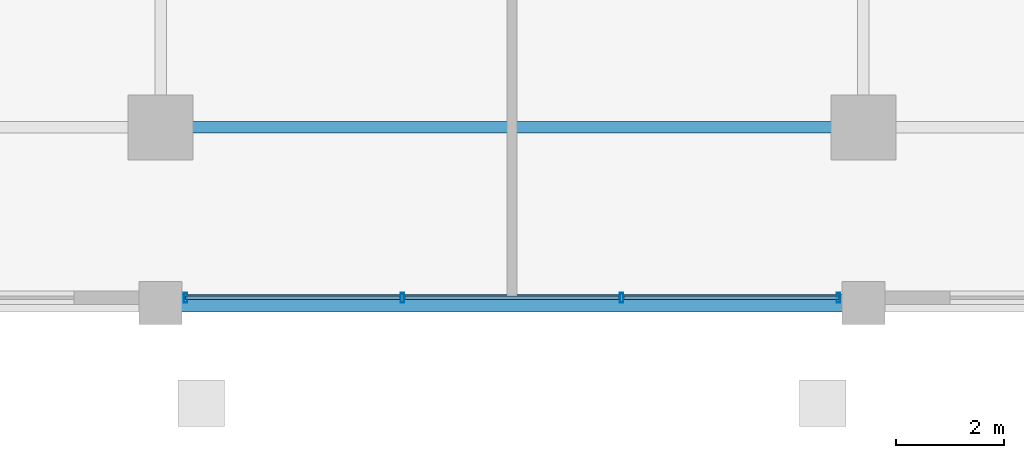
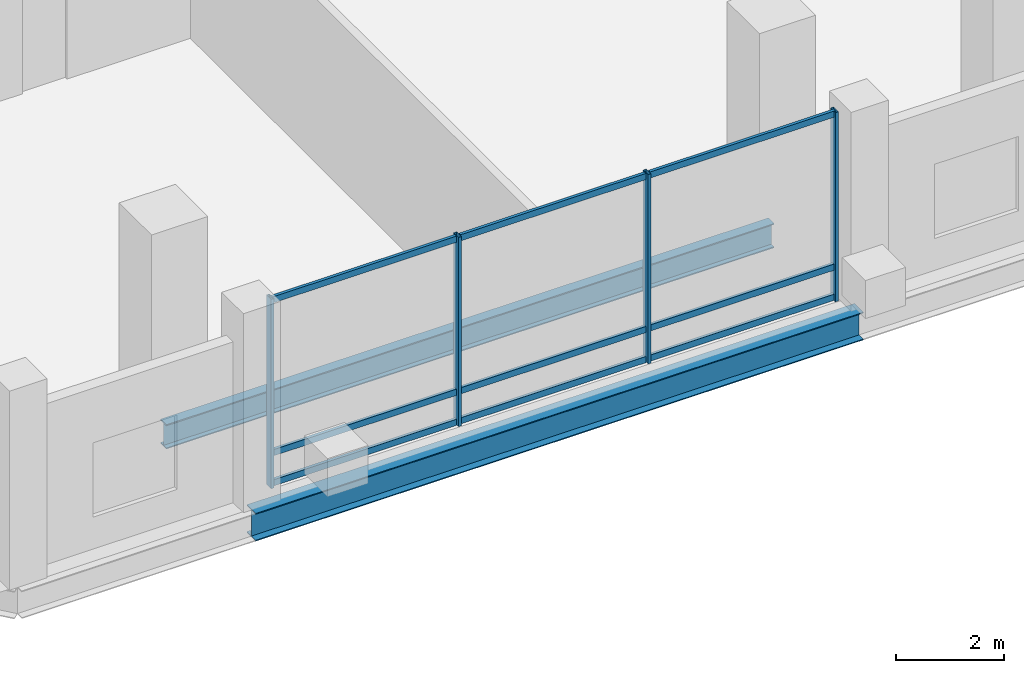
# One storey, part 2 of 19: 13 members, 2 beams, 1 element without a shape of its own.
"""IFC4 building model written with IfcOpenShell, lengths in metres."""

from ifc_helpers import new_model, si_unit, direction, frame, origin, origin_2d, place, context, subcontext, project, spatial, hollow_rectangle, i_section, extrude, material, layer, layer_set, material_profile, profile_set, type_object, element, aggregate, save


model = new_model("IFC4")

# Units and contexts
model_context = context("Model", 3, precision=1e-05, world=origin(), true_north=direction((0.0, 1.0)))
body_context = subcontext(model_context, "Body", "Model", "MODEL_VIEW")
ifc_project = project(units=[si_unit("LENGTHUNIT", "METRE"), si_unit("AREAUNIT", "SQUARE_METRE"), si_unit("VOLUMEUNIT", "CUBIC_METRE"), si_unit("PLANEANGLEUNIT", "RADIAN"), si_unit("MASSUNIT", "GRAM", prefix="KILO")], contexts=[model_context])

# Site, building, storey
site_placement = place(None, origin())
site = spatial("IfcSite", under=ifc_project, at=site_placement, CompositionType="ELEMENT")
building_placement = place(site_placement, origin())
building = spatial("IfcBuilding", under=site, at=building_placement, Name="Barlavira Tower and Art Museum", CompositionType="ELEMENT")
storey_placement = place(building_placement, frame((0.0, 0.0, 125.10009765625)))
storey = spatial("IfcBuildingStorey", under=building, at=storey_placement, Name="L31", CompositionType="ELEMENT", Elevation=125.10009765625)

# Curtain wall, members
ifc_material_1 = material(Name="Low-iron coastal laminated glass", Category="glass")
ifc_layer = layer(ifc_material_1, 0.18994140625, Name="Low-iron coastal laminated glass")
ifc_layer_set = layer_set([ifc_layer], Name="Low-iron coastal laminated glass")
curtain_wall_type = type_object("IfcCurtainWallType", Name="Pale-Metal Unitised Curtain Wall Zone 2", PredefinedType="NOTDEFINED", material=ifc_layer_set)
curtain_wall_placement = place(storey_placement, origin())
curtain_wall = element("IfcCurtainWall", 1, at=curtain_wall_placement, inside=storey, type_object=curtain_wall_type, Name="L31 Curtain Wall CW2-L31-S-B3", PredefinedType="NOTDEFINED")
ifc_material_2 = material(Name="Pale anodised aluminium", Category="aluminium")
ifc_material_profile_1 = material_profile(ifc_material_2, hollow_rectangle(XDim=0.06494140625, YDim=0.179931640625, WallThickness=0.00390625, at=origin_2d()), Name="ALU-MULL 65x180x4")
ifc_profile_set_1 = profile_set([ifc_material_profile_1], Name="Pale anodised aluminium")
member_type_1 = type_object("IfcMemberType", Name="Curtain Wall Pale-Metal Mullion 65x180", PredefinedType="MULLION", material=ifc_profile_set_1)
member_1_placement = place(storey_placement, frame((-6.034912109375, -23.14990234375, 0.0), z_axis=(0.0, 0.0, 1.0), x_axis=(1.0, 0.0, 0.0)))
member_1 = element("IfcMember", 2, at=member_1_placement, type_object=member_type_1, Name="CW2-L31-S-B3 Mullion 0", PredefinedType="MULLION", context=body_context, shape_type="SweptSolid", body=[
    extrude(hollow_rectangle(XDim=0.06494140625, YDim=0.179931640625, WallThickness=0.00390625, at=origin_2d()), origin(), (0.0, 0.0, 1.0), 4.27978515625),
])
member_2_placement = place(storey_placement, frame((-2.026611328125, -23.14990234375, 0.0), z_axis=(0.0, 0.0, 1.0), x_axis=(1.0, 0.0, 0.0)))
member_2 = element("IfcMember", 3, at=member_2_placement, type_object=member_type_1, Name="CW2-L31-S-B3 Mullion 1", PredefinedType="MULLION", context=body_context, shape_type="SweptSolid", body=[
    extrude(hollow_rectangle(XDim=0.06494140625, YDim=0.179931640625, WallThickness=0.00390625, at=origin_2d()), origin(), (0.0, 0.0, 1.0), 4.27978515625),
])
member_3_placement = place(storey_placement, frame((2.026611328125, -23.14990234375, 0.0), z_axis=(0.0, 0.0, 1.0), x_axis=(1.0, 0.0, 0.0)))
member_3 = element("IfcMember", 4, at=member_3_placement, type_object=member_type_1, Name="CW2-L31-S-B3 Mullion 2", PredefinedType="MULLION", context=body_context, shape_type="SweptSolid", body=[
    extrude(hollow_rectangle(XDim=0.06494140625, YDim=0.179931640625, WallThickness=0.00390625, at=origin_2d()), origin(), (0.0, 0.0, 1.0), 4.27978515625),
])
member_4_placement = place(storey_placement, frame((6.034912109375, -23.14990234375, 0.0), z_axis=(0.0, 0.0, 1.0), x_axis=(1.0, 0.0, 0.0)))
member_4 = element("IfcMember", 5, at=member_4_placement, type_object=member_type_1, Name="CW2-L31-S-B3 Mullion 3", PredefinedType="MULLION", context=body_context, shape_type="SweptSolid", body=[
    extrude(hollow_rectangle(XDim=0.06494140625, YDim=0.179931640625, WallThickness=0.00390625, at=origin_2d()), origin(), (0.0, 0.0, 1.0), 4.27978515625),
])
ifc_material_profile_2 = material_profile(ifc_material_2, hollow_rectangle(XDim=0.06494140625, YDim=0.139892578125, WallThickness=0.00390625, at=origin_2d()), Name="ALU-TRAN 65x140x4")
ifc_profile_set_2 = profile_set([ifc_material_profile_2], Name="Pale anodised aluminium")
member_type_2 = type_object("IfcMemberType", Name="Curtain Wall Pale-Metal Transom 65x140", PredefinedType="USERDEFINED", material=ifc_profile_set_2)
member_5_placement = place(storey_placement, frame((-6.034912109375, -23.14990234375, 0.06982421875), z_axis=(1.0, 0.0, 0.0), x_axis=(0.0, 1.0, 0.0)))
member_5 = element("IfcMember", 6, at=member_5_placement, type_object=member_type_2, Name="CW2-L31-S-B3 Transom 0.1", ObjectType="TRANSOM", PredefinedType="USERDEFINED", context=body_context, shape_type="SweptSolid", body=[
    extrude(hollow_rectangle(XDim=0.06494140625, YDim=0.139892578125, WallThickness=0.00390625, at=origin_2d()), origin(), (0.0, 0.0, 1.0), 3.963134765625),
])
member_6_placement = place(storey_placement, frame((-6.034912109375, -23.14990234375, 0.75), z_axis=(1.0, 0.0, 0.0), x_axis=(0.0, 1.0, 0.0)))
member_6 = element("IfcMember", 7, at=member_6_placement, type_object=member_type_2, Name="CW2-L31-S-B3 Transom 0.2", ObjectType="TRANSOM", PredefinedType="USERDEFINED", context=body_context, shape_type="SweptSolid", body=[
    extrude(hollow_rectangle(XDim=0.06494140625, YDim=0.139892578125, WallThickness=0.00390625, at=origin_2d()), origin(), (0.0, 0.0, 1.0), 3.963134765625),
])
member_7_placement = place(storey_placement, frame((-6.034912109375, -23.14990234375, 4.2099609375), z_axis=(1.0, 0.0, 0.0), x_axis=(0.0, 1.0, 0.0)))
member_7 = element("IfcMember", 8, at=member_7_placement, type_object=member_type_2, Name="CW2-L31-S-B3 Transom 0.3", ObjectType="TRANSOM", PredefinedType="USERDEFINED", context=body_context, shape_type="SweptSolid", body=[
    extrude(hollow_rectangle(XDim=0.06494140625, YDim=0.139892578125, WallThickness=0.00390625, at=origin_2d()), origin(), (0.0, 0.0, 1.0), 3.963134765625),
])
member_8_placement = place(storey_placement, frame((-1.981689453125, -23.14990234375, 0.06982421875), z_axis=(1.0, 0.0, 0.0), x_axis=(0.0, 1.0, 0.0)))
member_8 = element("IfcMember", 9, at=member_8_placement, type_object=member_type_2, Name="CW2-L31-S-B3 Transom 1.1", ObjectType="TRANSOM", PredefinedType="USERDEFINED", context=body_context, shape_type="SweptSolid", body=[
    extrude(hollow_rectangle(XDim=0.06494140625, YDim=0.139892578125, WallThickness=0.00390625, at=origin_2d()), origin(), (0.0, 0.0, 1.0), 3.96337890625),
])
member_9_placement = place(storey_placement, frame((-1.981689453125, -23.14990234375, 0.75), z_axis=(1.0, 0.0, 0.0), x_axis=(0.0, 1.0, 0.0)))
member_9 = element("IfcMember", 10, at=member_9_placement, type_object=member_type_2, Name="CW2-L31-S-B3 Transom 1.2", ObjectType="TRANSOM", PredefinedType="USERDEFINED", context=body_context, shape_type="SweptSolid", body=[
    extrude(hollow_rectangle(XDim=0.06494140625, YDim=0.139892578125, WallThickness=0.00390625, at=origin_2d()), origin(), (0.0, 0.0, 1.0), 3.96337890625),
])
member_10_placement = place(storey_placement, frame((-1.981689453125, -23.14990234375, 4.2099609375), z_axis=(1.0, 0.0, 0.0), x_axis=(0.0, 1.0, 0.0)))
member_10 = element("IfcMember", 11, at=member_10_placement, type_object=member_type_2, Name="CW2-L31-S-B3 Transom 1.3", ObjectType="TRANSOM", PredefinedType="USERDEFINED", context=body_context, shape_type="SweptSolid", body=[
    extrude(hollow_rectangle(XDim=0.06494140625, YDim=0.139892578125, WallThickness=0.00390625, at=origin_2d()), origin(), (0.0, 0.0, 1.0), 3.96337890625),
])
member_11_placement = place(storey_placement, frame((2.07177734375, -23.14990234375, 0.06982421875), z_axis=(1.0, 0.0, 0.0), x_axis=(0.0, 1.0, 0.0)))
member_11 = element("IfcMember", 12, at=member_11_placement, type_object=member_type_2, Name="CW2-L31-S-B3 Transom 2.1", ObjectType="TRANSOM", PredefinedType="USERDEFINED", context=body_context, shape_type="SweptSolid", body=[
    extrude(hollow_rectangle(XDim=0.06494140625, YDim=0.139892578125, WallThickness=0.00390625, at=origin_2d()), origin(), (0.0, 0.0, 1.0), 3.963134765625),
])
member_12_placement = place(storey_placement, frame((2.07177734375, -23.14990234375, 0.75), z_axis=(1.0, 0.0, 0.0), x_axis=(0.0, 1.0, 0.0)))
member_12 = element("IfcMember", 13, at=member_12_placement, type_object=member_type_2, Name="CW2-L31-S-B3 Transom 2.2", ObjectType="TRANSOM", PredefinedType="USERDEFINED", context=body_context, shape_type="SweptSolid", body=[
    extrude(hollow_rectangle(XDim=0.06494140625, YDim=0.139892578125, WallThickness=0.00390625, at=origin_2d()), origin(), (0.0, 0.0, 1.0), 3.963134765625),
])
member_13_placement = place(storey_placement, frame((2.07177734375, -23.14990234375, 4.2099609375), z_axis=(1.0, 0.0, 0.0), x_axis=(0.0, 1.0, 0.0)))
member_13 = element("IfcMember", 14, at=member_13_placement, type_object=member_type_2, Name="CW2-L31-S-B3 Transom 2.3", ObjectType="TRANSOM", PredefinedType="USERDEFINED", context=body_context, shape_type="SweptSolid", body=[
    extrude(hollow_rectangle(XDim=0.06494140625, YDim=0.139892578125, WallThickness=0.00390625, at=origin_2d()), origin(), (0.0, 0.0, 1.0), 3.963134765625),
])
aggregate(curtain_wall, [member_1, member_2, member_3, member_4, member_5, member_6, member_7, member_8, member_9, member_10, member_11, member_12, member_13])

# Beams
ifc_material_3 = material(Name="Steel S355", Category="steel")
ifc_material_profile_3 = material_profile(ifc_material_3, i_section(OverallWidth=0.327880859375, OverallDepth=0.62890625, WebThickness=0.013916015625, FlangeThickness=0.021484375, at=origin_2d()), Name="W610x174.0")
ifc_profile_set_3 = profile_set([ifc_material_profile_3], Name="Steel S355")
beam_type_1 = type_object("IfcBeamType", Name="Perimeter Spandrel Edge Beam W610x174 Steel S355", PredefinedType="SPANDREL", material=ifc_profile_set_3)
beam_1_placement = place(storey_placement, frame((-6.5, -23.25, -0.614501953125), z_axis=(1.0, 0.0, 0.0), x_axis=(0.0, 1.0, 0.0)))
element("IfcBeam", 15, at=beam_1_placement, inside=storey, type_object=beam_type_1, Name="L31 Spandrel 2", PredefinedType="SPANDREL", context=body_context, shape_type="SweptSolid", body=[
    extrude(i_section(OverallWidth=0.327880859375, OverallDepth=0.62890625, WebThickness=0.013916015625, FlangeThickness=0.021484375, at=origin_2d()), origin(), (0.0, 0.0, 1.0), 13.0),
])
ifc_material_profile_4 = material_profile(ifc_material_3, i_section(OverallWidth=0.214111328125, OverallDepth=0.549072265625, WebThickness=0.0146484375, FlangeThickness=0.023681640625, at=origin_2d()), Name="W530x138.0")
ifc_profile_set_4 = profile_set([ifc_material_profile_4], Name="Steel S355")
beam_type_2 = type_object("IfcBeamType", Name="Zone 1 Primary Floor Girder W530x138 Steel S355", PredefinedType="BEAM", material=ifc_profile_set_4)
beam_2_placement = place(storey_placement, frame((-6.5, -20.0, -0.57470703125), z_axis=(1.0, 0.0, 0.0), x_axis=(0.0, 1.0, 0.0)))
element("IfcBeam", 16, at=beam_2_placement, inside=storey, type_object=beam_type_2, Name="L31 Girder M-S2", PredefinedType="BEAM", context=body_context, shape_type="SweptSolid", body=[
    extrude(i_section(OverallWidth=0.214111328125, OverallDepth=0.549072265625, WebThickness=0.0146484375, FlangeThickness=0.023681640625, at=origin_2d()), origin(), (0.0, 0.0, 1.0), 13.0),
])

save(model, "model.ifc")
